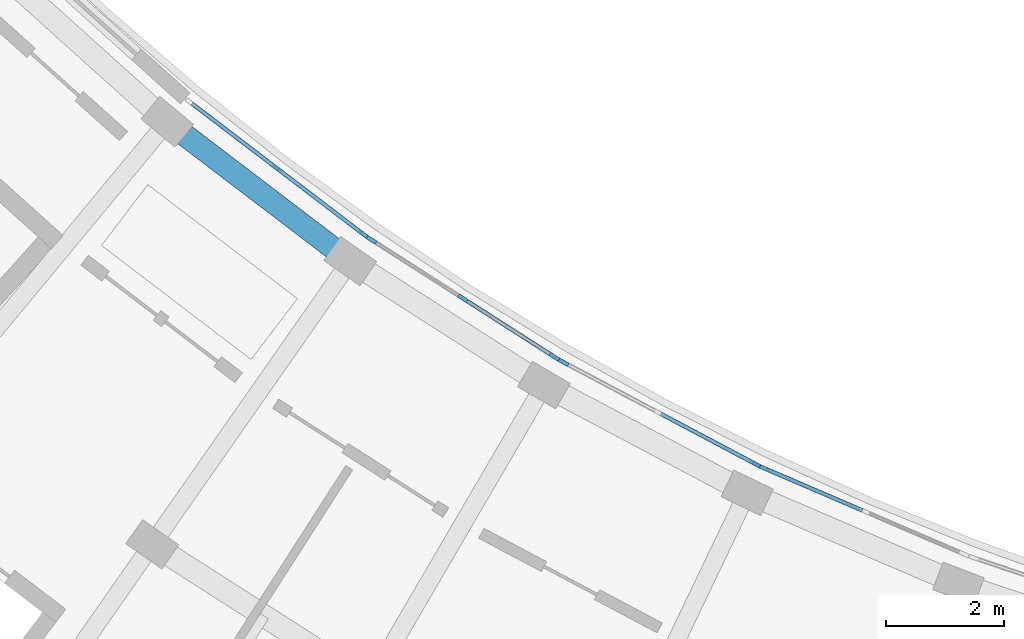
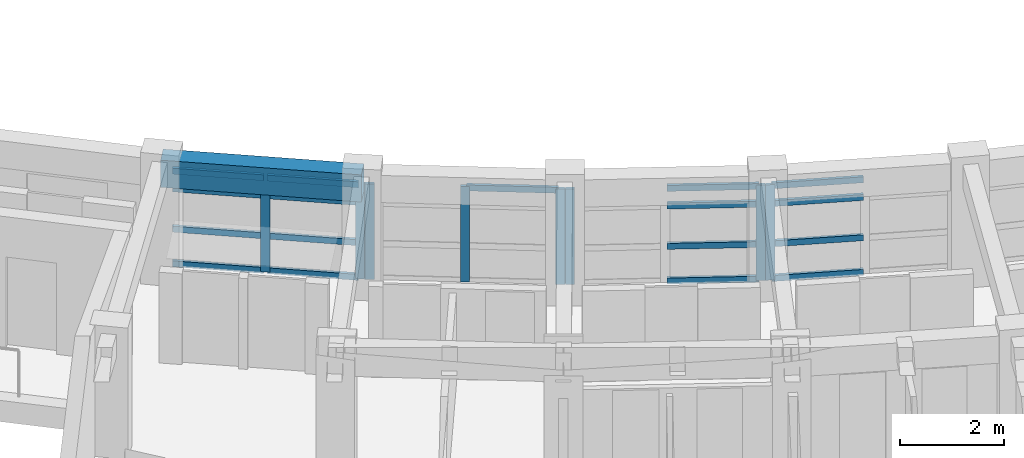
# One storey, part 12 of 38: 25 members, 1 beam, 4 elements without a shape of their own.
"""IFC4 building model written with IfcOpenShell, lengths in metres."""

from ifc_helpers import new_model, si_unit, direction, frame, origin, origin_2d, place, context, subcontext, project, spatial, rectangle, extrude, material, material_profile, profile_set, type_object, element, aggregate, save


model = new_model("IFC4")

# Units and contexts
model_context = context("Model", 3, precision=1e-05, world=origin(), true_north=direction((0.0, 1.0)))
body_context = subcontext(model_context, "Body", "Model", "MODEL_VIEW")
ifc_project = project(units=[si_unit("LENGTHUNIT", "METRE"), si_unit("AREAUNIT", "SQUARE_METRE"), si_unit("VOLUMEUNIT", "CUBIC_METRE"), si_unit("PLANEANGLEUNIT", "RADIAN"), si_unit("MASSUNIT", "GRAM", prefix="KILO")], contexts=[model_context])

# Site, building, storey
site_placement = place(None, origin())
site = spatial("IfcSite", under=ifc_project, at=site_placement, CompositionType="ELEMENT")
building_placement = place(site_placement, origin())
building = spatial("IfcBuilding", under=site, at=building_placement, Name="Zimvara Arc Housing Community", CompositionType="ELEMENT")
storey_placement = place(building_placement, frame((0.0, 0.0, 29.800048828125)))
storey = spatial("IfcBuildingStorey", under=building, at=storey_placement, Name="L09", CompositionType="ELEMENT", Elevation=29.800048828125)

# Beam
ifc_material_1 = material(Name="Concrete C40/50", Category="concrete")
ifc_material_profile_1 = material_profile(ifc_material_1, rectangle(XDim=0.3798828125, YDim=0.639892578125, at=origin_2d()), Name="RC 380x640")
ifc_profile_set_1 = profile_set([ifc_material_profile_1], Name="Concrete C40/50")
beam_type = type_object("IfcBeamType", Name="BM-RC-380x640", PredefinedType="BEAM", material=ifc_profile_set_1)
beam_placement = place(storey_placement, frame((95.408935546875, 72.958251953125, 2.599853515625), z_axis=(0.795500462697, -0.605952979899, 0.0), x_axis=(0.605952979899, 0.795500462697, 0.0)))
element("IfcBeam", 1, at=beam_placement, inside=storey, type_object=beam_type, Name="bm:blkC:L09:chord:r1:b2", PredefinedType="BEAM", context=body_context, shape_type="SweptSolid", body=[
    extrude(rectangle(XDim=0.3798828125, YDim=0.639892578125, at=origin_2d()), origin(), (0.0, 0.0, 1.0), 3.9130859375),
])

# Curtain wall, members
ifc_material_2 = material(Name="Anodised Aluminium AW-6063", Category="aluminium")
curtain_wall_type_1 = type_object("IfcCurtainWallType", Name="CW-SYS-08", PredefinedType="USERDEFINED", material=ifc_material_2)
curtain_wall_1_placement = place(storey_placement, origin())
curtain_wall_1 = element("IfcCurtainWall", 2, at=curtain_wall_1_placement, inside=storey, type_object=curtain_wall_type_1, Name="cw:blkC:L09:in:b2", ObjectType="CURTAIN WALL", PredefinedType="USERDEFINED")
ifc_material_3 = material(Name="Anodised Aluminium AW-6063", Category="aluminium")
ifc_material_profile_2 = material_profile(ifc_material_3, rectangle(XDim=0.06494140625, YDim=0.179931640625, at=origin_2d()), Name="ALU 65x180")
ifc_profile_set_2 = profile_set([ifc_material_profile_2], Name="Anodised Aluminium AW-6063")
member_type_1 = type_object("IfcMemberType", Name="CWM-65x150", PredefinedType="MULLION", material=ifc_profile_set_2)
member_1_placement = place(storey_placement, frame((97.26806640625, 72.170166015625, 0.0), z_axis=(0.0, 0.0, 1.0), x_axis=(0.605987809503, 0.795473930895, 0.0)))
member_1 = element("IfcMember", 3, at=member_1_placement, type_object=member_type_1, Name="CW08 mullion 2", PredefinedType="MULLION", context=body_context, shape_type="SweptSolid", body=[
    extrude(rectangle(XDim=0.06494140625, YDim=0.179931640625, at=origin_2d()), origin(), (0.0, 0.0, 1.0), 2.25),
])
member_2_placement = place(storey_placement, frame((98.734619140625, 71.052978515625, 0.0), z_axis=(0.0, 0.0, 1.0), x_axis=(0.605987809503, 0.795473930895, 0.0)))
member_2 = element("IfcMember", 4, at=member_2_placement, type_object=member_type_1, Name="CW08 mullion 3", PredefinedType="MULLION", context=body_context, shape_type="SweptSolid", body=[
    extrude(rectangle(XDim=0.06494140625, YDim=0.179931640625, at=origin_2d()), origin(), (0.0, 0.0, 1.0), 2.25),
])

ifc_material_4 = material(Name="Anodised Aluminium AW-6063", Category="aluminium")
curtain_wall_type_2 = type_object("IfcCurtainWallType", Name="CW-SYS-02", PredefinedType="USERDEFINED", material=ifc_material_4)
curtain_wall_2_placement = place(storey_placement, origin())
curtain_wall_2 = element("IfcCurtainWall", 5, at=curtain_wall_2_placement, inside=storey, type_object=curtain_wall_type_2, Name="cw:blkC:L09:in:b3", ObjectType="CURTAIN WALL", PredefinedType="USERDEFINED")
member_3_placement = place(storey_placement, frame((98.885986328125, 70.947021484375, 0.0), z_axis=(0.0, 0.0, 1.0), x_axis=(0.539065115913, 0.842264092079, 0.0)))
member_3 = element("IfcMember", 6, at=member_3_placement, type_object=member_type_1, Name="CW02 mullion 1", PredefinedType="MULLION", context=body_context, shape_type="SweptSolid", body=[
    extrude(rectangle(XDim=0.06494140625, YDim=0.179931640625, at=origin_2d()), origin(), (0.0, 0.0, 1.0), 2.25),
])
member_4_placement = place(storey_placement, frame((100.43896484375, 69.953125, 0.0), z_axis=(0.0, 0.0, 1.0), x_axis=(0.539065115913, 0.842264092079, 0.0)))
member_4 = element("IfcMember", 7, at=member_4_placement, type_object=member_type_1, Name="CW02 mullion 2", PredefinedType="MULLION", context=body_context, shape_type="SweptSolid", body=[
    extrude(rectangle(XDim=0.06494140625, YDim=0.179931640625, at=origin_2d()), origin(), (0.0, 0.0, 1.0), 2.25),
])
member_5_placement = place(storey_placement, frame((101.99169921875, 68.959228515625, 0.0), z_axis=(0.0, 0.0, 1.0), x_axis=(0.539065115913, 0.842264092079, 0.0)))
member_5 = element("IfcMember", 8, at=member_5_placement, type_object=member_type_1, Name="CW02 mullion 3", PredefinedType="MULLION", context=body_context, shape_type="SweptSolid", body=[
    extrude(rectangle(XDim=0.06494140625, YDim=0.179931640625, at=origin_2d()), origin(), (0.0, 0.0, 1.0), 2.25),
])

ifc_material_5 = material(Name="Anodised Aluminium AW-6063", Category="aluminium")
curtain_wall_type_3 = type_object("IfcCurtainWallType", Name="CW-SYS-04", PredefinedType="USERDEFINED", material=ifc_material_5)
curtain_wall_3_placement = place(storey_placement, origin())
curtain_wall_3 = element("IfcCurtainWall", 9, at=curtain_wall_3_placement, inside=storey, type_object=curtain_wall_type_3, Name="cw:blkC:L09:in:b4", ObjectType="CURTAIN WALL", PredefinedType="USERDEFINED")
member_6_placement = place(storey_placement, frame((102.1513671875, 68.8662109375, 0.0), z_axis=(0.0, 0.0, 1.0), x_axis=(0.468547099195, 0.883438518424, 0.0)))
member_6 = element("IfcMember", 10, at=member_6_placement, type_object=member_type_1, Name="CW04 mullion 1", PredefinedType="MULLION", context=body_context, shape_type="SweptSolid", body=[
    extrude(rectangle(XDim=0.06494140625, YDim=0.179931640625, at=origin_2d()), origin(), (0.0, 0.0, 1.0), 2.25),
])
member_7_placement = place(storey_placement, frame((105.40869140625, 67.138427734375, 0.0), z_axis=(0.0, 0.0, 1.0), x_axis=(0.468547099195, 0.883438518424, 0.0)))
member_7 = element("IfcMember", 11, at=member_7_placement, type_object=member_type_1, Name="CW04 mullion 3", PredefinedType="MULLION", context=body_context, shape_type="SweptSolid", body=[
    extrude(rectangle(XDim=0.06494140625, YDim=0.179931640625, at=origin_2d()), origin(), (0.0, 0.0, 1.0), 2.25),
])

# Curtain wall, member
ifc_material_6 = material(Name="Anodised Aluminium AW-6063", Category="aluminium")
curtain_wall_type_4 = type_object("IfcCurtainWallType", Name="CW-SYS-06", PredefinedType="USERDEFINED", material=ifc_material_6)
curtain_wall_4_placement = place(storey_placement, origin())
curtain_wall_4 = element("IfcCurtainWall", 12, at=curtain_wall_4_placement, inside=storey, type_object=curtain_wall_type_4, Name="cw:blkC:L09:in:b5", ObjectType="CURTAIN WALL", PredefinedType="USERDEFINED")
member_8_placement = place(storey_placement, frame((105.575439453125, 67.05859375, 0.0), z_axis=(0.0, 0.0, 1.0), x_axis=(0.394903951674, 0.918722411261, 0.0)))
member_8 = element("IfcMember", 13, at=member_8_placement, type_object=member_type_1, Name="CW06 mullion 1", PredefinedType="MULLION", context=body_context, shape_type="SweptSolid", body=[
    extrude(rectangle(XDim=0.06494140625, YDim=0.179931640625, at=origin_2d()), origin(), (0.0, 0.0, 1.0), 2.25),
])

# Member
ifc_material_7 = material(Name="Anodised Aluminium AW-6063", Category="aluminium")
ifc_material_profile_3 = material_profile(ifc_material_7, rectangle(XDim=0.06494140625, YDim=0.139892578125, at=origin_2d()), Name="ALU 65x140")
ifc_profile_set_3 = profile_set([ifc_material_profile_3], Name="Anodised Aluminium AW-6063")
member_type_2 = type_object("IfcMemberType", Name="CWT-65x120", PredefinedType="USERDEFINED", material=ifc_profile_set_3)
member_9_placement = place(storey_placement, frame((95.827392578125, 73.267578125, 0.032470703125), z_axis=(0.79544747465, -0.60602253677, 0.0), x_axis=(0.60602253677, 0.79544747465, 0.0)))
member_9 = element("IfcMember", 14, at=member_9_placement, type_object=member_type_2, Name="CW08 transom 1.1", ObjectType="TRANSOM", PredefinedType="USERDEFINED", context=body_context, shape_type="SweptSolid", body=[
    extrude(rectangle(XDim=0.06494140625, YDim=0.139892578125, at=origin_2d()), origin(), (0.0, 0.0, 1.0), 1.778564453125),
])

member_10_placement = place(storey_placement, frame((95.827392578125, 73.267578125, 0.849853515625), z_axis=(0.79544747465, -0.60602253677, 0.0), x_axis=(0.60602253677, 0.79544747465, 0.0)))
member_10 = element("IfcMember", 15, at=member_10_placement, type_object=member_type_2, Name="CW08 transom 1.2", ObjectType="TRANSOM", PredefinedType="USERDEFINED", context=body_context, shape_type="SweptSolid", body=[
    extrude(rectangle(XDim=0.06494140625, YDim=0.139892578125, at=origin_2d()), origin(), (0.0, 0.0, 1.0), 1.778564453125),
])

member_11_placement = place(storey_placement, frame((95.827392578125, 73.267578125, 1.800048828125), z_axis=(0.79544747465, -0.60602253677, 0.0), x_axis=(0.60602253677, 0.79544747465, 0.0)))
member_11 = element("IfcMember", 16, at=member_11_placement, type_object=member_type_2, Name="CW08 transom 1.3", ObjectType="TRANSOM", PredefinedType="USERDEFINED", context=body_context, shape_type="SweptSolid", body=[
    extrude(rectangle(XDim=0.06494140625, YDim=0.139892578125, at=origin_2d()), origin(), (0.0, 0.0, 1.0), 1.778564453125),
])

member_12_placement = place(storey_placement, frame((95.827392578125, 73.267578125, 2.217529296875), z_axis=(0.79544747465, -0.60602253677, 0.0), x_axis=(0.60602253677, 0.79544747465, 0.0)))
member_12 = element("IfcMember", 17, at=member_12_placement, type_object=member_type_2, Name="CW08 transom 1.4", ObjectType="TRANSOM", PredefinedType="USERDEFINED", context=body_context, shape_type="SweptSolid", body=[
    extrude(rectangle(XDim=0.06494140625, YDim=0.139892578125, at=origin_2d()), origin(), (0.0, 0.0, 1.0), 1.778564453125),
])

member_13_placement = place(storey_placement, frame((97.2939453125, 72.150390625, 0.032470703125), z_axis=(0.79544747465, -0.60602253677, 0.0), x_axis=(0.60602253677, 0.79544747465, 0.0)))
member_13 = element("IfcMember", 18, at=member_13_placement, type_object=member_type_2, Name="CW08 transom 2.1", ObjectType="TRANSOM", PredefinedType="USERDEFINED", context=body_context, shape_type="SweptSolid", body=[
    extrude(rectangle(XDim=0.06494140625, YDim=0.139892578125, at=origin_2d()), origin(), (0.0, 0.0, 1.0), 1.778564453125),
])

member_14_placement = place(storey_placement, frame((97.2939453125, 72.150390625, 0.849853515625), z_axis=(0.79544747465, -0.60602253677, 0.0), x_axis=(0.60602253677, 0.79544747465, 0.0)))
member_14 = element("IfcMember", 19, at=member_14_placement, type_object=member_type_2, Name="CW08 transom 2.2", ObjectType="TRANSOM", PredefinedType="USERDEFINED", context=body_context, shape_type="SweptSolid", body=[
    extrude(rectangle(XDim=0.06494140625, YDim=0.139892578125, at=origin_2d()), origin(), (0.0, 0.0, 1.0), 1.778564453125),
])

member_15_placement = place(storey_placement, frame((97.2939453125, 72.150390625, 1.800048828125), z_axis=(0.79544747465, -0.60602253677, 0.0), x_axis=(0.60602253677, 0.79544747465, 0.0)))
member_15 = element("IfcMember", 20, at=member_15_placement, type_object=member_type_2, Name="CW08 transom 2.3", ObjectType="TRANSOM", PredefinedType="USERDEFINED", context=body_context, shape_type="SweptSolid", body=[
    extrude(rectangle(XDim=0.06494140625, YDim=0.139892578125, at=origin_2d()), origin(), (0.0, 0.0, 1.0), 1.778564453125),
])

member_16_placement = place(storey_placement, frame((97.2939453125, 72.150390625, 2.217529296875), z_axis=(0.79544747465, -0.60602253677, 0.0), x_axis=(0.60602253677, 0.79544747465, 0.0)))
member_16 = element("IfcMember", 21, at=member_16_placement, type_object=member_type_2, Name="CW08 transom 2.4", ObjectType="TRANSOM", PredefinedType="USERDEFINED", context=body_context, shape_type="SweptSolid", body=[
    extrude(rectangle(XDim=0.06494140625, YDim=0.139892578125, at=origin_2d()), origin(), (0.0, 0.0, 1.0), 1.778564453125),
])

aggregate(curtain_wall_1, [member_1, member_2, member_9, member_10, member_11, member_12, member_13, member_14, member_15, member_16])

member_17_placement = place(storey_placement, frame((100.46630859375, 69.935546875, 2.217529296875), z_axis=(0.842273893594, -0.539049801197, 0.0), x_axis=(0.539049801197, 0.842273893594, 0.0)))
member_17 = element("IfcMember", 22, at=member_17_placement, type_object=member_type_2, Name="CW02 transom 2.4", ObjectType="TRANSOM", PredefinedType="USERDEFINED", context=body_context, shape_type="SweptSolid", body=[
    extrude(rectangle(XDim=0.06494140625, YDim=0.139892578125, at=origin_2d()), origin(), (0.0, 0.0, 1.0), 1.778564453125),
])

aggregate(curtain_wall_2, [member_3, member_4, member_5, member_17])

member_18_placement = place(storey_placement, frame((103.808837890625, 67.987060546875, 0.032470703125), z_axis=(0.883407004942, -0.468606512566, 0.0), x_axis=(0.468606512566, 0.883407004942, 0.0)))
member_18 = element("IfcMember", 23, at=member_18_placement, type_object=member_type_2, Name="CW04 transom 2.1", ObjectType="TRANSOM", PredefinedType="USERDEFINED", context=body_context, shape_type="SweptSolid", body=[
    extrude(rectangle(XDim=0.06494140625, YDim=0.139892578125, at=origin_2d()), origin(), (0.0, 0.0, 1.0), 1.778564453125),
])

member_19_placement = place(storey_placement, frame((103.808837890625, 67.987060546875, 0.849853515625), z_axis=(0.883407004942, -0.468606512566, 0.0), x_axis=(0.468606512566, 0.883407004942, 0.0)))
member_19 = element("IfcMember", 24, at=member_19_placement, type_object=member_type_2, Name="CW04 transom 2.2", ObjectType="TRANSOM", PredefinedType="USERDEFINED", context=body_context, shape_type="SweptSolid", body=[
    extrude(rectangle(XDim=0.06494140625, YDim=0.139892578125, at=origin_2d()), origin(), (0.0, 0.0, 1.0), 1.778564453125),
])

member_20_placement = place(storey_placement, frame((103.808837890625, 67.987060546875, 1.800048828125), z_axis=(0.883407004942, -0.468606512566, 0.0), x_axis=(0.468606512566, 0.883407004942, 0.0)))
member_20 = element("IfcMember", 25, at=member_20_placement, type_object=member_type_2, Name="CW04 transom 2.3", ObjectType="TRANSOM", PredefinedType="USERDEFINED", context=body_context, shape_type="SweptSolid", body=[
    extrude(rectangle(XDim=0.06494140625, YDim=0.139892578125, at=origin_2d()), origin(), (0.0, 0.0, 1.0), 1.778564453125),
])

member_21_placement = place(storey_placement, frame((103.808837890625, 67.987060546875, 2.217529296875), z_axis=(0.883407004942, -0.468606512566, 0.0), x_axis=(0.468606512566, 0.883407004942, 0.0)))
member_21 = element("IfcMember", 26, at=member_21_placement, type_object=member_type_2, Name="CW04 transom 2.4", ObjectType="TRANSOM", PredefinedType="USERDEFINED", context=body_context, shape_type="SweptSolid", body=[
    extrude(rectangle(XDim=0.06494140625, YDim=0.139892578125, at=origin_2d()), origin(), (0.0, 0.0, 1.0), 1.778564453125),
])

aggregate(curtain_wall_3, [member_6, member_7, member_18, member_19, member_20, member_21])

member_22_placement = place(storey_placement, frame((105.605224609375, 67.045654296875, 0.032470703125), z_axis=(0.918739899324, -0.39486326417, 0.0), x_axis=(0.39486326417, 0.918739899324, 0.0)))
member_22 = element("IfcMember", 27, at=member_22_placement, type_object=member_type_2, Name="CW06 transom 1.1", ObjectType="TRANSOM", PredefinedType="USERDEFINED", context=body_context, shape_type="SweptSolid", body=[
    extrude(rectangle(XDim=0.06494140625, YDim=0.139892578125, at=origin_2d()), origin(), (0.0, 0.0, 1.0), 1.77880859375),
])

member_23_placement = place(storey_placement, frame((105.605224609375, 67.045654296875, 0.849853515625), z_axis=(0.918739899324, -0.39486326417, 0.0), x_axis=(0.39486326417, 0.918739899324, 0.0)))
member_23 = element("IfcMember", 28, at=member_23_placement, type_object=member_type_2, Name="CW06 transom 1.2", ObjectType="TRANSOM", PredefinedType="USERDEFINED", context=body_context, shape_type="SweptSolid", body=[
    extrude(rectangle(XDim=0.06494140625, YDim=0.139892578125, at=origin_2d()), origin(), (0.0, 0.0, 1.0), 1.77880859375),
])

member_24_placement = place(storey_placement, frame((105.605224609375, 67.045654296875, 1.800048828125), z_axis=(0.918739899324, -0.39486326417, 0.0), x_axis=(0.39486326417, 0.918739899324, 0.0)))
member_24 = element("IfcMember", 29, at=member_24_placement, type_object=member_type_2, Name="CW06 transom 1.3", ObjectType="TRANSOM", PredefinedType="USERDEFINED", context=body_context, shape_type="SweptSolid", body=[
    extrude(rectangle(XDim=0.06494140625, YDim=0.139892578125, at=origin_2d()), origin(), (0.0, 0.0, 1.0), 1.77880859375),
])

member_25_placement = place(storey_placement, frame((105.605224609375, 67.045654296875, 2.217529296875), z_axis=(0.918739899324, -0.39486326417, 0.0), x_axis=(0.39486326417, 0.918739899324, 0.0)))
member_25 = element("IfcMember", 30, at=member_25_placement, type_object=member_type_2, Name="CW06 transom 1.4", ObjectType="TRANSOM", PredefinedType="USERDEFINED", context=body_context, shape_type="SweptSolid", body=[
    extrude(rectangle(XDim=0.06494140625, YDim=0.139892578125, at=origin_2d()), origin(), (0.0, 0.0, 1.0), 1.77880859375),
])

aggregate(curtain_wall_4, [member_8, member_22, member_23, member_24, member_25])

save(model, "model.ifc")
